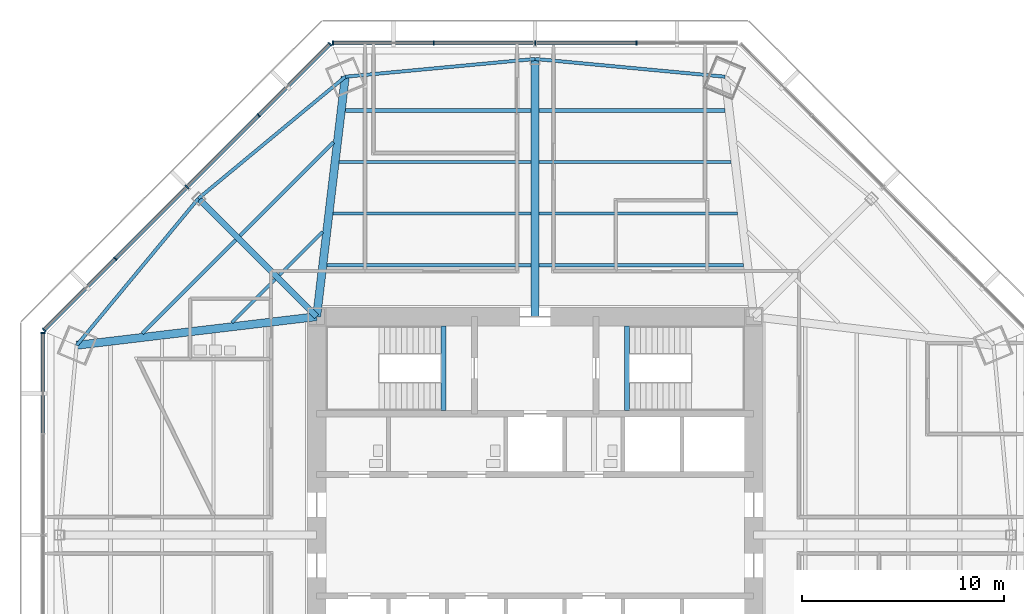
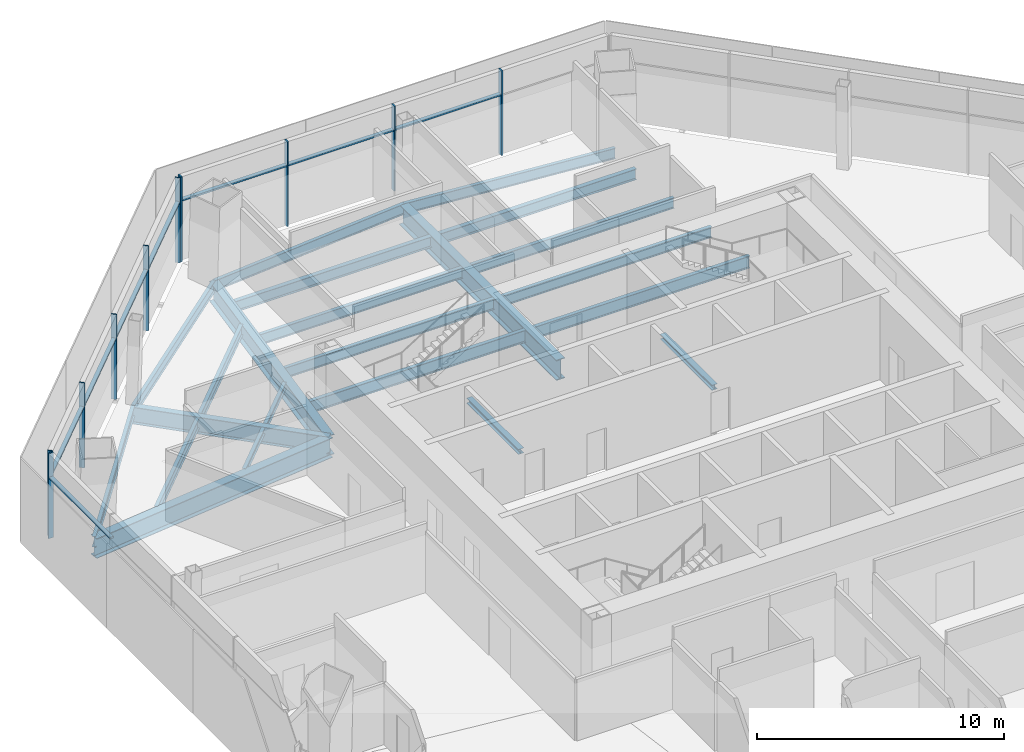
# One storey, part 5 of 14: 22 beams, 18 members, 3 elements without a shape of their own.
"""IFC4 building model written with IfcOpenShell, lengths in metres."""

import ifcopenshell
import ifcopenshell.guid

model = None  # the IFC model being written
_history = None  # IfcOwnerHistory: only IFC2X3 demands one
_inside = {}  # id of a spatial element -> (the spatial element, [elements in it])
_under = {}  # id of a project, library or spatial element -> (it, [spatial elements below it])
_declared = {}  # id of a project -> (the project, [libraries it declares])
_typed = {}  # id of a type object -> (the type object, [elements of that type])
_made_of = {}  # id of a material, layer set ... -> (it, [elements and type objects made of it])


def new_model(schema):
    """Start an empty IFC model of exactly this schema.

    Asked for "IFC4X3", IfcOpenShell would pick the latest addendum, in which some entities
    have other attributes; the version numbers below select the first issue.
    IFC2X3 requires an IfcOwnerHistory on every rooted entity: one is made here for all.
    """
    global model, _history
    if schema == "IFC4X3":
        model = ifcopenshell.file(schema_version=(4, 3, 0, 0))
    else:
        model = ifcopenshell.file(schema=schema)
    _inside.clear()
    _under.clear()
    _declared.clear()
    _typed.clear()
    _made_of.clear()
    _history = None
    if model.schema == "IFC2X3":
        org = make("IfcOrganization", Name="unknown")
        user = make(
            "IfcPersonAndOrganization",
            ThePerson=make("IfcPerson", FamilyName="unknown"),
            TheOrganization=org,
        )
        app = make(
            "IfcApplication",
            ApplicationDeveloper=org,
            Version="unknown",
            ApplicationFullName="unknown",
            ApplicationIdentifier="unknown",
        )
        _history = make(
            "IfcOwnerHistory",
            OwningUser=user,
            OwningApplication=app,
            ChangeAction="ADDED",
            CreationDate=0,
        )
    return model


def make(cls, **values):
    """One entity of the class cls with the attributes given. An attribute that is None is left unset."""
    return model.create_entity(
        cls, **{name: value for name, value in values.items() if value is not None}
    )


def rooted(cls, **values):
    """An entity with a GlobalId (a new one), such as an element, a storey or a relation."""
    return make(cls, GlobalId=ifcopenshell.guid.new(), OwnerHistory=_history, **values)


def si_unit(unit_type, name, prefix=None):
    """IfcSIUnit, for example si_unit("LENGTHUNIT", "METRE", prefix="MILLI")."""
    return make("IfcSIUnit", UnitType=unit_type, Prefix=prefix, Name=name)


def assignment(units):
    """IfcUnitAssignment: the units of a project."""
    return None if units is None else make("IfcUnitAssignment", Units=units)


def point(xyz):
    """IfcCartesianPoint."""
    return None if xyz is None else make("IfcCartesianPoint", Coordinates=xyz)


def direction(xyz):
    """IfcDirection."""
    return None if xyz is None else make("IfcDirection", DirectionRatios=xyz)


def frame(location, z_axis=None, x_axis=None):
    """IfcAxis2Placement3D, a coordinate frame: its origin and axes. An axis left out is left unset."""
    return make(
        "IfcAxis2Placement3D",
        Location=point(location),
        Axis=direction(z_axis),
        RefDirection=direction(x_axis),
    )


def frame_2d(location, x_axis=None):
    """IfcAxis2Placement2D, a coordinate frame in the plane: its origin and x axis."""
    return make(
        "IfcAxis2Placement2D", Location=point(location), RefDirection=direction(x_axis)
    )


def origin():
    """The frame at (0, 0, 0) with its axes left unset."""
    return frame((0.0, 0.0, 0.0))


def origin_2d():
    """The frame at (0, 0) in the plane with its x axis left unset."""
    return frame_2d((0.0, 0.0))


def place(relative_to, where):
    """IfcLocalPlacement: puts the frame where relative to a parent placement (None: the world)."""
    return make(
        "IfcLocalPlacement", PlacementRelTo=relative_to, RelativePlacement=where
    )


def context(
    kind, dimensions, precision=None, world=None, true_north=None, identifier=None
):
    """IfcGeometricRepresentationContext, for example the 3D "Model" context."""
    return make(
        "IfcGeometricRepresentationContext",
        ContextIdentifier=identifier,
        ContextType=kind,
        CoordinateSpaceDimension=dimensions,
        Precision=precision,
        WorldCoordinateSystem=world,
        TrueNorth=true_north,
    )


def subcontext(parent, identifier, kind, view, scale=None):
    """IfcGeometricRepresentationSubContext, for example "Body" below "Model"."""
    return make(
        "IfcGeometricRepresentationSubContext",
        ContextIdentifier=identifier,
        ContextType=kind,
        ParentContext=parent,
        TargetScale=scale,
        TargetView=view,
    )


def project(units=None, contexts=None):
    """IfcProject with its units and contexts."""
    return rooted(
        "IfcProject",
        Name="project",
        RepresentationContexts=contexts,
        UnitsInContext=assignment(units),
    )


def spatial(cls, under=None, at=None, **own):
    """A site, building, storey or space (cls), placed at a placement, below another one or the project."""
    s = rooted(cls, ObjectPlacement=at, **own)
    if under is not None:
        _under.setdefault(under.id(), (under, []))[1].append(s)
    return s


def profile(cls, at=None, kind="AREA", **sizes):
    """A parametric profile (cls). Its sizes go by their IFC names, for example OverallWidth=200.0."""
    return make(cls, ProfileType=kind, Position=at, **sizes)


def rectangle(**sizes):
    """IfcRectangleProfileDef."""
    return profile("IfcRectangleProfileDef", **sizes)


def i_section(**sizes):
    """IfcIShapeProfileDef."""
    return profile("IfcIShapeProfileDef", **sizes)


def extrude(swept, where, along, depth):
    """IfcExtrudedAreaSolid: the profile swept, set in the frame where, extruded along a direction by depth."""
    return make(
        "IfcExtrudedAreaSolid",
        SweptArea=swept,
        Position=where,
        ExtrudedDirection=direction(along),
        Depth=depth,
    )


def shape(context_of_items, identifier, shape_type, items):
    """IfcShapeRepresentation: the items that make up one representation, for example the "Body"."""
    return make(
        "IfcShapeRepresentation",
        ContextOfItems=context_of_items,
        RepresentationIdentifier=identifier,
        RepresentationType=shape_type,
        Items=items,
    )


def source(mapping_origin, context_of_items, identifier, shape_type, items):
    """IfcRepresentationMap: a shape defined once, which mapped items show again and again."""
    return make(
        "IfcRepresentationMap",
        MappingOrigin=mapping_origin,
        MappedRepresentation=shape(context_of_items, identifier, shape_type, items),
    )


def transform(
    local_origin,
    x_axis=None,
    y_axis=None,
    z_axis=None,
    scale=None,
    scale2=None,
    scale3=None,
    uniform=True,
):
    """IfcCartesianTransformationOperator3D, or its non-uniform kind. x_axis, y_axis, z_axis: its Axis1, 2, 3."""
    if uniform:
        return make(
            "IfcCartesianTransformationOperator3D",
            Axis1=direction(x_axis),
            Axis2=direction(y_axis),
            LocalOrigin=point(local_origin),
            Scale=scale,
            Axis3=direction(z_axis),
        )
    return make(
        "IfcCartesianTransformationOperator3DnonUniform",
        Axis1=direction(x_axis),
        Axis2=direction(y_axis),
        LocalOrigin=point(local_origin),
        Scale=scale,
        Axis3=direction(z_axis),
        Scale2=scale2,
        Scale3=scale3,
    )


def mapped(mapping_source, mapping_target):
    """IfcMappedItem: shows the shape of a source again, moved by a transform."""
    return make(
        "IfcMappedItem", MappingSource=mapping_source, MappingTarget=mapping_target
    )


def material(Name=None, Category=None):
    """IfcMaterial."""
    return make("IfcMaterial", Name=Name, Category=Category)


def material_profile(
    of_material, cross_section, Name=None, Category=None, Priority=None
):
    """IfcMaterialProfile: a cross section and its material."""
    return make(
        "IfcMaterialProfile",
        Name=Name,
        Material=of_material,
        Profile=cross_section,
        Priority=Priority,
        Category=Category,
    )


def profile_set(profiles, Name=None, composite=None):
    """IfcMaterialProfileSet."""
    return make(
        "IfcMaterialProfileSet",
        Name=Name,
        MaterialProfiles=profiles,
        CompositeProfile=composite,
    )


def made_of(thing, what):
    """Note that an element or type object is made of a material, layer set ...; save() writes the relation."""
    if what is not None:
        _made_of.setdefault(what.id(), (what, []))[1].append(thing)
    return thing


def type_object(cls, material=None, **own):
    """A type object (cls), such as IfcWallType, which elements share."""
    return made_of(rooted(cls, **own), material)


def type_shapes(of_type, sources):
    """Give a type object the sources (RepresentationMaps) that its elements show as mapped items."""
    of_type.RepresentationMaps = sources


def element(
    cls,
    number,
    at=None,
    inside=None,
    cuts=None,
    type_object=None,
    material=None,
    context=None,
    identifier="Body",
    shape_type=None,
    held_by="IfcProductDefinitionShape",
    body=None,
    shapes=None,
    **own,
):
    """One element of the class cls, such as IfcWall. Its Tag is "e" and its number.

    at: its placement. inside: the storey or other place that contains it. cuts: it is an
    opening in that element (IfcRelVoidsElement). A single representation is given by context,
    identifier, shape_type and body (its items); several are given by shapes. held_by: the class
    of the entity that holds the representations. save() writes the other relations.
    """
    e = rooted(cls, Tag="e%d" % number, ObjectPlacement=at, **own)
    if body is not None:
        shapes = [shape(context, identifier, shape_type, body)]
    if shapes is not None:
        e.Representation = make(held_by, Representations=shapes)
    if inside is not None:
        _inside.setdefault(inside.id(), (inside, []))[1].append(e)
    if cuts is not None:
        rooted(
            "IfcRelVoidsElement", RelatingBuildingElement=cuts, RelatedOpeningElement=e
        )
    if type_object is not None:
        _typed.setdefault(type_object.id(), (type_object, []))[1].append(e)
    return made_of(e, material)


def aggregate(whole, parts):
    """IfcRelAggregates: a whole, such as a stair, and the parts it consists of."""
    return rooted("IfcRelAggregates", RelatingObject=whole, RelatedObjects=parts)


def save(model, path):
    """Write the relations noted so far, then the file.

    IfcRelAggregates (storeys below a building ...), IfcRelContainedInSpatialStructure (elements
    in a storey), IfcRelDefinesByType, IfcRelAssociatesMaterial and IfcRelDeclares: one each for
    every whole, place, type object, material and project.
    """
    for whole, parts in _under.values():
        aggregate(whole, parts)
    for where, things in _inside.values():
        rooted(
            "IfcRelContainedInSpatialStructure",
            RelatedElements=things,
            RelatingStructure=where,
        )
    for kind, things in _typed.values():
        rooted("IfcRelDefinesByType", RelatedObjects=things, RelatingType=kind)
    for what, things in _made_of.values():
        rooted("IfcRelAssociatesMaterial", RelatedObjects=things, RelatingMaterial=what)
    for by, libraries in _declared.values():
        rooted("IfcRelDeclares", RelatingContext=by, RelatedDefinitions=libraries)
    model.write(path)


model = new_model("IFC4")

# Units and contexts
model_context = context("Model", 3, precision=1e-05, world=origin(), true_north=direction((0.0, 1.0)))
body_context = subcontext(model_context, "Body", "Model", "MODEL_VIEW")
ifc_project = project(units=[si_unit("LENGTHUNIT", "METRE"), si_unit("AREAUNIT", "SQUARE_METRE"), si_unit("VOLUMEUNIT", "CUBIC_METRE"), si_unit("PLANEANGLEUNIT", "RADIAN"), si_unit("MASSUNIT", "GRAM", prefix="KILO")], contexts=[model_context])

# Site, building, storey
site_placement = place(None, origin())
site = spatial("IfcSite", under=ifc_project, at=site_placement, CompositionType="ELEMENT")
building_placement = place(site_placement, origin())
building = spatial("IfcBuilding", under=site, at=building_placement, Name="Mashrafa Tower", CompositionType="ELEMENT")
storey_placement = place(building_placement, frame((0.0, 0.0, 130.199951171875)))
storey = spatial("IfcBuildingStorey", under=building, at=storey_placement, Name="L29", CompositionType="ELEMENT", Elevation=130.199951171875)

# Beams
ifc_material_1 = material(Name="Steel ASTM A992", Category="steel")
ifc_material_profile_1 = material_profile(ifc_material_1, i_section(OverallWidth=0.164794921875, OverallDepth=0.309814453125, WebThickness=0.005859375, FlangeThickness=0.009765625, FilletRadius=0.007568359375, at=origin_2d()), Name="W12X26")
ifc_profile_set_1 = profile_set([ifc_material_profile_1], Name="Steel ASTM A992")
beam_type_1 = type_object("IfcBeamType", Name="Beam W12X26", PredefinedType="BEAM", material=ifc_profile_set_1)
for number, where, z_axis, x_axis, name in (
    (1, (-14.9931640625, 10.501953125, -0.31982421875), (0.707106781187, 0.707106781187, 0.0), (-0.707106781187, 0.707106781187, 0.0), "Floor beam L29 008"),
    (2, (-12.644287109375, 12.850830078125, -0.31982421875), (0.707106781187, 0.707106781187, 0.0), (-0.707106781187, 0.707106781187, 0.0), "Floor beam L29 014"),
):
    element("IfcBeam", number, at=place(storey_placement, frame(where, z_axis=z_axis, x_axis=x_axis)), inside=storey, type_object=beam_type_1, Name=name, PredefinedType="BEAM", context=body_context, shape_type="SweptSolid", body=[
        extrude(i_section(OverallWidth=0.164794921875, OverallDepth=0.309814453125, WebThickness=0.005859375, FlangeThickness=0.009765625, FilletRadius=0.007568359375, at=origin_2d()), origin(), (0.0, 0.0, 1.0), 3.02978515625),
    ])
ifc_material_2 = material(Name="Steel ASTM A992", Category="steel")
ifc_material_profile_2 = material_profile(ifc_material_2, i_section(OverallWidth=0.1650390625, OverallDepth=0.52587890625, WebThickness=0.0087890625, FlangeThickness=0.011474609375, FilletRadius=0.0126953125, at=origin_2d()), Name="W21X44")
ifc_profile_set_2 = profile_set([ifc_material_profile_2], Name="Steel ASTM A992")
beam_type_2 = type_object("IfcBeamType", Name="Beam W21X44", PredefinedType="BEAM", material=ifc_profile_set_2)
for number, where, z_axis, x_axis, name in (
    (3, (-19.416015625, 9.97412109375, -0.427734375), (0.707106781187, 0.707106781187, 0.0), (-0.707106781187, 0.707106781187, 0.0), "Floor beam L29 003"),
    (4, (-14.591796875, 14.79833984375, -0.427734375), (0.707106781187, 0.707106781187, 0.0), (-0.707106781187, 0.707106781187, 0.0), "Floor beam L29 010"),
):
    element("IfcBeam", number, at=place(storey_placement, frame(where, z_axis=z_axis, x_axis=x_axis)), inside=storey, type_object=beam_type_2, Name=name, PredefinedType="BEAM", context=body_context, shape_type="SweptSolid", body=[
        extrude(i_section(OverallWidth=0.1650390625, OverallDepth=0.52587890625, WebThickness=0.0087890625, FlangeThickness=0.011474609375, FilletRadius=0.0126953125, at=origin_2d()), origin(), (0.0, 0.0, 1.0), 6.5302734375),
    ])
beam_1_placement = place(storey_placement, frame((-9.989990234375, 15.89453125, -0.427734375), z_axis=(1.0, 0.0, 0.0), x_axis=(0.0, 1.0, 0.0)))
element("IfcBeam", 5, at=beam_1_placement, inside=storey, type_object=beam_type_2, Name="Floor beam L29 017", PredefinedType="BEAM", context=body_context, shape_type="SweptSolid", body=[
    extrude(i_section(OverallWidth=0.1650390625, OverallDepth=0.52587890625, WebThickness=0.0087890625, FlangeThickness=0.011474609375, FilletRadius=0.0126953125, at=origin_2d()), origin(), (0.0, 0.0, 1.0), 9.789306640625),
])
beam_2_placement = place(storey_placement, frame((-9.686279296875, 18.441650390625, -0.427734375), z_axis=(1.0, 0.0, 0.0), x_axis=(0.0, 1.0, 0.0)))
element("IfcBeam", 6, at=beam_2_placement, inside=storey, type_object=beam_type_2, Name="Floor beam L29 018", PredefinedType="BEAM", context=body_context, shape_type="SweptSolid", body=[
    extrude(i_section(OverallWidth=0.1650390625, OverallDepth=0.52587890625, WebThickness=0.0087890625, FlangeThickness=0.011474609375, FilletRadius=0.0126953125, at=origin_2d()), origin(), (0.0, 0.0, 1.0), 9.485595703125),
])
beam_3_placement = place(storey_placement, frame((0.20068359375, 15.89453125, -0.427734375), z_axis=(1.0, 0.0, 0.0), x_axis=(0.0, 1.0, 0.0)))
element("IfcBeam", 7, at=beam_3_placement, inside=storey, type_object=beam_type_2, Name="Floor beam L29 026", PredefinedType="BEAM", context=body_context, shape_type="SweptSolid", body=[
    extrude(i_section(OverallWidth=0.1650390625, OverallDepth=0.52587890625, WebThickness=0.0087890625, FlangeThickness=0.011474609375, FilletRadius=0.0126953125, at=origin_2d()), origin(), (0.0, 0.0, 1.0), 9.789306640625),
])
beam_4_placement = place(storey_placement, frame((0.20068359375, 18.441650390625, -0.427734375), z_axis=(1.0, 0.0, 0.0), x_axis=(0.0, 1.0, 0.0)))
element("IfcBeam", 8, at=beam_4_placement, inside=storey, type_object=beam_type_2, Name="Floor beam L29 027", PredefinedType="BEAM", context=body_context, shape_type="SweptSolid", body=[
    extrude(i_section(OverallWidth=0.1650390625, OverallDepth=0.52587890625, WebThickness=0.0087890625, FlangeThickness=0.011474609375, FilletRadius=0.0126953125, at=origin_2d()), origin(), (0.0, 0.0, 1.0), 9.485595703125),
])
for number, where, z_axis, x_axis, name in (
    (9, (-16.642578125, 16.642578125, -0.427734375), (-0.63815431328, -0.76990848316, 0.0), (0.76990848316, -0.63815431328, 0.0), "Spandrel beam L29 069"),
    (10, (-9.38525390625, 22.657958984375, -0.427734375), (-0.76990848316, -0.63815431328, 0.0), (0.63815431328, -0.76990848316, 0.0), "Spandrel beam L29 071"),
    (11, (0.0, 23.5361328125, -0.427734375), (-0.995650908533, -0.093162590864, 0.0), (0.093162590864, -0.995650908533, 0.0), "Spandrel beam L29 073"),
    (12, (9.38525390625, 22.657958984375, -0.427734375), (-0.995650908533, 0.093162590864, 0.0), (-0.093162590864, -0.995650908533, 0.0), "Spandrel beam L29 075"),
):
    element("IfcBeam", number, at=place(storey_placement, frame(where, z_axis=z_axis, x_axis=x_axis)), inside=storey, type_object=beam_type_2, Name=name, PredefinedType="BEAM", context=body_context, shape_type="SweptSolid", body=[
        extrude(i_section(OverallWidth=0.1650390625, OverallDepth=0.52587890625, WebThickness=0.0087890625, FlangeThickness=0.011474609375, FilletRadius=0.0126953125, at=origin_2d()), origin(), (0.0, 0.0, 1.0), 9.42626953125),
    ])
ifc_material_3 = material(Name="Steel ASTM A992", Category="steel")
ifc_material_profile_3 = material_profile(ifc_material_3, i_section(OverallWidth=0.209228515625, OverallDepth=0.533447265625, WebThickness=0.01025390625, FlangeThickness=0.015625, FilletRadius=0.012939453125, at=origin_2d()), Name="W21X62")
ifc_profile_set_3 = profile_set([ifc_material_profile_3], Name="Steel ASTM A992")
beam_type_3 = type_object("IfcBeamType", Name="Beam W21X62", PredefinedType="BEAM", material=ifc_profile_set_3)
for number, where, z_axis, x_axis, name in (
    (13, (-9.38232421875, 20.989013671875, -0.431640625), (1.0, 0.0, 0.0), (0.0, 1.0, 0.0), "Floor beam L29 020"),
    (14, (0.20068359375, 20.989013671875, -0.431640625), (1.0, 0.0, 0.0), (0.0, 1.0, 0.0), "Floor beam L29 028"),
):
    element("IfcBeam", number, at=place(storey_placement, frame(where, z_axis=z_axis, x_axis=x_axis)), inside=storey, type_object=beam_type_3, Name=name, PredefinedType="BEAM", context=body_context, shape_type="SweptSolid", body=[
        extrude(i_section(OverallWidth=0.209228515625, OverallDepth=0.533447265625, WebThickness=0.01025390625, FlangeThickness=0.015625, FilletRadius=0.012939453125, at=origin_2d()), origin(), (0.0, 0.0, 1.0), 9.181640625),
    ])
ifc_material_4 = material(Name="Steel ASTM A992", Category="steel")
ifc_material_profile_4 = material_profile(ifc_material_4, i_section(OverallWidth=0.177978515625, OverallDepth=0.599365234375, WebThickness=0.010009765625, FlangeThickness=0.012939453125, FilletRadius=0.012939453125, at=origin_2d()), Name="W24X55")
ifc_profile_set_4 = profile_set([ifc_material_profile_4], Name="Steel ASTM A992")
beam_type_4 = type_object("IfcBeamType", Name="Beam W24X55", PredefinedType="BEAM", material=ifc_profile_set_4)
for number, where, z_axis, x_axis, name in (
    (15, (-10.2939453125, 13.34716796875, -0.464599609375), (1.0, 0.0, 0.0), (0.0, 1.0, 0.0), "Floor beam L29 015"),
    (16, (0.20068359375, 13.34716796875, -0.464599609375), (1.0, 0.0, 0.0), (0.0, 1.0, 0.0), "Floor beam L29 025"),
):
    element("IfcBeam", number, at=place(storey_placement, frame(where, z_axis=z_axis, x_axis=x_axis)), inside=storey, type_object=beam_type_4, Name=name, PredefinedType="BEAM", context=body_context, shape_type="SweptSolid", body=[
        extrude(i_section(OverallWidth=0.177978515625, OverallDepth=0.599365234375, WebThickness=0.010009765625, FlangeThickness=0.012939453125, FilletRadius=0.012939453125, at=origin_2d()), origin(), (0.0, 0.0, 1.0), 10.09326171875),
    ])
ifc_material_5 = material(Name="Steel ASTM A992", Category="steel")
ifc_material_profile_5 = material_profile(ifc_material_5, i_section(OverallWidth=0.2919921875, OverallDepth=0.8408203125, WebThickness=0.0146484375, FlangeThickness=0.021728515625, FilletRadius=0.017333984375, at=origin_2d()), Name="W33X130")
ifc_profile_set_5 = profile_set([ifc_material_profile_5], Name="Steel ASTM A992")
beam_type_5 = type_object("IfcBeamType", Name="Beam W33X130", PredefinedType="BEAM", material=ifc_profile_set_5)
beam_5_placement = place(storey_placement, frame((-10.800048828125, 10.800048828125, -0.585205078125), z_axis=(-0.707106781187, 0.707106781187, 0.0), x_axis=(-0.707106781187, -0.707106781187, 0.0)))
element("IfcBeam", 17, at=beam_5_placement, inside=storey, type_object=beam_type_5, Name="Radial girder L29 054", PredefinedType="BEAM", context=body_context, shape_type="SweptSolid", body=[
    extrude(i_section(OverallWidth=0.2919921875, OverallDepth=0.8408203125, WebThickness=0.0146484375, FlangeThickness=0.021728515625, FilletRadius=0.017333984375, at=origin_2d()), origin(), (0.0, 0.0, 1.0), 8.2626953125),
])
ifc_material_6 = material(Name="Steel ASTM A992", Category="steel")
ifc_material_profile_6 = material_profile(ifc_material_6, i_section(OverallWidth=0.4013671875, OverallDepth=0.98291015625, WebThickness=0.0166015625, FlangeThickness=0.027099609375, FilletRadius=0.0126953125, at=origin_2d()), Name="W40X199")
ifc_profile_set_6 = profile_set([ifc_material_profile_6], Name="Steel ASTM A992")
beam_type_6 = type_object("IfcBeamType", Name="Beam W40X199", PredefinedType="BEAM", material=ifc_profile_set_6)
for number, where, z_axis, x_axis, name in (
    (18, (-10.800048828125, 10.800048828125, -0.656494140625), (-0.992957386055, -0.118472062017, 0.0), (0.118472062017, -0.992957386055, 0.0), "Radial girder L29 053"),
    (19, (-10.800048828125, 10.800048828125, -0.656494140625), (0.118472062017, 0.992957386055, 0.0), (-0.992957386055, 0.118472062017, 0.0), "Radial girder L29 055"),
):
    element("IfcBeam", number, at=place(storey_placement, frame(where, z_axis=z_axis, x_axis=x_axis)), inside=storey, type_object=beam_type_6, Name=name, PredefinedType="BEAM", context=body_context, shape_type="SweptSolid", body=[
        extrude(i_section(OverallWidth=0.4013671875, OverallDepth=0.98291015625, WebThickness=0.0166015625, FlangeThickness=0.027099609375, FilletRadius=0.0126953125, at=origin_2d()), origin(), (0.0, 0.0, 1.0), 11.94189453125),
    ])
ifc_material_7 = material(Name="Steel ASTM A992", Category="steel")
ifc_material_profile_7 = material_profile(ifc_material_7, i_section(OverallWidth=0.4013671875, OverallDepth=1.010986328125, WebThickness=0.023681640625, FlangeThickness=0.0419921875, FilletRadius=0.02001953125, at=origin_2d()), Name="W40X297")
ifc_profile_set_7 = profile_set([ifc_material_profile_7], Name="Steel ASTM A992")
beam_type_7 = type_object("IfcBeamType", Name="Beam W40X297", PredefinedType="BEAM", material=ifc_profile_set_7)
beam_6_placement = place(storey_placement, frame((0.0, 10.800048828125, -0.67041015625), z_axis=(0.0, 1.0, 0.0), x_axis=(-1.0, 0.0, 0.0)))
element("IfcBeam", 20, at=beam_6_placement, inside=storey, type_object=beam_type_7, Name="Radial girder L29 057", PredefinedType="BEAM", context=body_context, shape_type="SweptSolid", body=[
    extrude(i_section(OverallWidth=0.4013671875, OverallDepth=1.010986328125, WebThickness=0.023681640625, FlangeThickness=0.0419921875, FilletRadius=0.02001953125, at=origin_2d()), origin(), (0.0, 0.0, 1.0), 12.736083984375),
])
ifc_material_8 = material(Name="Steel ASTM A992", Category="steel")
ifc_material_profile_8 = material_profile(ifc_material_8, i_section(OverallWidth=0.25390625, OverallDepth=0.25390625, WebThickness=0.008544921875, FlangeThickness=0.01416015625, FilletRadius=0.010009765625, at=origin_2d()), Name="W10X49")
ifc_profile_set_8 = profile_set([ifc_material_profile_8], Name="Steel ASTM A992")
beam_type_8 = type_object("IfcBeamType", Name="Hoistway beam W10X49", PredefinedType="BEAM", material=ifc_profile_set_8)
for number, where, z_axis, x_axis, name in (
    (21, (-4.530029296875, 6.14990234375, -0.326904296875), (0.0, 1.0, 0.0), (-1.0, 0.0, 0.0), "Stair S1 landing beam L29"),
    (22, (4.530029296875, 6.14990234375, -0.326904296875), (0.0, 1.0, 0.0), (-1.0, 0.0, 0.0), "Stair S2 landing beam L29"),
):
    element("IfcBeam", number, at=place(storey_placement, frame(where, z_axis=z_axis, x_axis=x_axis)), inside=storey, type_object=beam_type_8, Name=name, PredefinedType="BEAM", context=body_context, shape_type="SweptSolid", body=[
        extrude(i_section(OverallWidth=0.25390625, OverallDepth=0.25390625, WebThickness=0.008544921875, FlangeThickness=0.01416015625, FilletRadius=0.010009765625, at=origin_2d()), origin(), (0.0, 0.0, 1.0), 4.2001953125),
    ])

# Curtain wall, members
ifc_material_9 = material(Name="Unitised aluminium curtain wall", Category="aluminium")
curtain_wall_type = type_object("IfcCurtainWallType", Name="Office curtain wall, zone 2 CW-B 225 deep", PredefinedType="NOTDEFINED", material=ifc_material_9)
curtain_wall_1_placement = place(storey_placement, origin())
curtain_wall_1 = element("IfcCurtainWall", 23, at=curtain_wall_1_placement, inside=storey, type_object=curtain_wall_type, Name="Office curtain wall, zone 2 L29 north", PredefinedType="NOTDEFINED")
ifc_material_10 = material(Name="Extruded aluminium mullion", Category="aluminium")
ifc_material_profile_9 = material_profile(ifc_material_10, rectangle(XDim=0.22509765625, YDim=0.06494140625, at=origin_2d()), Name="Mullion 65x225")
ifc_profile_set_9 = profile_set([ifc_material_profile_9], Name="Extruded aluminium mullion")
member_type_1 = type_object("IfcMemberType", Name="Mullion CW-B 65 x 225", PredefinedType="MULLION", material=ifc_profile_set_9)
shared_shape_1 = source(origin(), body_context, "Body", "SweptSolid", [
    extrude(rectangle(XDim=0.22509765625, YDim=0.06494140625, at=origin_2d()), origin(), (0.0, 0.0, 1.0), 4.199951171875),
])
type_shapes(member_type_1, [shared_shape_1])
member_1_placement = place(storey_placement, frame((5.010986328125, 24.33154296875, 0.0), z_axis=(0.0, 0.0, 1.0), x_axis=(0.0, -1.0, 0.0)))
member_1 = element("IfcMember", 24, at=member_1_placement, type_object=member_type_1, Name="CW-B mullion 2", PredefinedType="MULLION", context=body_context, shape_type="MappedRepresentation", body=[
    mapped(shared_shape_1, transform((0.0, 0.0, 0.0))),
])
member_2_placement = place(storey_placement, frame((0.0, 24.33154296875, 0.0), z_axis=(0.0, 0.0, 1.0), x_axis=(0.0, -1.0, 0.0)))
member_2 = element("IfcMember", 25, at=member_2_placement, type_object=member_type_1, Name="CW-B mullion 3", PredefinedType="MULLION", context=body_context, shape_type="MappedRepresentation", body=[
    mapped(shared_shape_1, transform((0.0, 0.0, 0.0))),
])
member_3_placement = place(storey_placement, frame((-5.010986328125, 24.33154296875, 0.0), z_axis=(0.0, 0.0, 1.0), x_axis=(0.0, -1.0, 0.0)))
member_3 = element("IfcMember", 26, at=member_3_placement, type_object=member_type_1, Name="CW-B mullion 4", PredefinedType="MULLION", context=body_context, shape_type="MappedRepresentation", body=[
    mapped(shared_shape_1, transform((0.0, 0.0, 0.0))),
])
member_4_placement = place(storey_placement, frame((-9.9892578125, 24.33154296875, 0.0), z_axis=(0.0, 0.0, 1.0), x_axis=(0.0, -1.0, 0.0)))
member_4 = element("IfcMember", 27, at=member_4_placement, type_object=member_type_1, Name="CW-B mullion 5", PredefinedType="MULLION", context=body_context, shape_type="MappedRepresentation", body=[
    mapped(shared_shape_1, transform((0.0, 0.0, 0.0))),
])

curtain_wall_2_placement = place(storey_placement, origin())
curtain_wall_2 = element("IfcCurtainWall", 28, at=curtain_wall_2_placement, inside=storey, type_object=curtain_wall_type, Name="Office curtain wall, zone 2 L29 north-west", PredefinedType="NOTDEFINED")
member_5_placement = place(storey_placement, frame((-10.141357421875, 24.2685546875, 0.0), z_axis=(0.0, 0.0, 1.0), x_axis=(0.707106781187, -0.707106781187, 0.0)))
member_5 = element("IfcMember", 29, at=member_5_placement, type_object=member_type_1, Name="CW-B mullion 1", PredefinedType="MULLION", context=body_context, shape_type="MappedRepresentation", body=[
    mapped(shared_shape_1, transform((0.0, 0.0, 0.0))),
])
member_6_placement = place(storey_placement, frame((-13.66162109375, 20.748291015625, 0.0), z_axis=(0.0, 0.0, 1.0), x_axis=(0.707106781187, -0.707106781187, 0.0)))
member_6 = element("IfcMember", 30, at=member_6_placement, type_object=member_type_1, Name="CW-B mullion 2", PredefinedType="MULLION", context=body_context, shape_type="MappedRepresentation", body=[
    mapped(shared_shape_1, transform((0.0, 0.0, 0.0))),
])
member_7_placement = place(storey_placement, frame((-17.205078125, 17.205078125, 0.0), z_axis=(0.0, 0.0, 1.0), x_axis=(0.707106781187, -0.707106781187, 0.0)))
member_7 = element("IfcMember", 31, at=member_7_placement, type_object=member_type_1, Name="CW-B mullion 3", PredefinedType="MULLION", context=body_context, shape_type="MappedRepresentation", body=[
    mapped(shared_shape_1, transform((0.0, 0.0, 0.0))),
])
member_8_placement = place(storey_placement, frame((-20.748291015625, 13.66162109375, 0.0), z_axis=(0.0, 0.0, 1.0), x_axis=(0.707106781187, -0.707106781187, 0.0)))
member_8 = element("IfcMember", 32, at=member_8_placement, type_object=member_type_1, Name="CW-B mullion 4", PredefinedType="MULLION", context=body_context, shape_type="MappedRepresentation", body=[
    mapped(shared_shape_1, transform((0.0, 0.0, 0.0))),
])
member_9_placement = place(storey_placement, frame((-24.2685546875, 10.141357421875, 0.0), z_axis=(0.0, 0.0, 1.0), x_axis=(0.707106781187, -0.707106781187, 0.0)))
member_9 = element("IfcMember", 33, at=member_9_placement, type_object=member_type_1, Name="CW-B mullion 5", PredefinedType="MULLION", context=body_context, shape_type="MappedRepresentation", body=[
    mapped(shared_shape_1, transform((0.0, 0.0, 0.0))),
])

# Curtain wall, member
curtain_wall_3_placement = place(storey_placement, origin())
curtain_wall_3 = element("IfcCurtainWall", 34, at=curtain_wall_3_placement, inside=storey, type_object=curtain_wall_type, Name="Office curtain wall, zone 2 L29 west", PredefinedType="NOTDEFINED")
member_10_placement = place(storey_placement, frame((-24.33154296875, 9.9892578125, 0.0), z_axis=(0.0, 0.0, 1.0), x_axis=(1.0, 0.0, 0.0)))
member_10 = element("IfcMember", 35, at=member_10_placement, type_object=member_type_1, Name="CW-B mullion 1", PredefinedType="MULLION", context=body_context, shape_type="MappedRepresentation", body=[
    mapped(shared_shape_1, transform((0.0, 0.0, 0.0))),
])

# Member
ifc_material_11 = material(Name="Extruded aluminium transom", Category="aluminium")
ifc_material_profile_10 = material_profile(ifc_material_11, rectangle(XDim=0.179931640625, YDim=0.080078125, at=origin_2d()), Name="Transom 80x180")
ifc_profile_set_10 = profile_set([ifc_material_profile_10], Name="Extruded aluminium transom")
member_type_2 = type_object("IfcMemberType", Name="Transom CW-B 80 x 180", PredefinedType="MULLION", material=ifc_profile_set_10)
shared_shape_2 = source(origin(), body_context, "Body", "SweptSolid", [
    extrude(rectangle(XDim=0.179931640625, YDim=0.080078125, at=origin_2d()), origin(), (0.0, 0.0, 1.0), 4.913330078125),
])
member_11_placement = place(storey_placement, frame((-5.04345703125, 24.33154296875, 3.0), z_axis=(-1.0, 0.0, 0.0), x_axis=(0.0, -1.0, 0.0)))
member_11 = element("IfcMember", 36, at=member_11_placement, type_object=member_type_2, Name="CW-B transom 4", PredefinedType="MULLION", context=body_context, shape_type="MappedRepresentation", body=[
    mapped(shared_shape_2, transform((0.0, 0.0, 0.0))),
])

member_12_placement = place(storey_placement, frame((-10.16455078125, 24.24560546875, 3.0), z_axis=(-0.707081935988, -0.707131625512, 0.0), x_axis=(0.707131625512, -0.707081935988, 0.0)))
member_12 = element("IfcMember", 37, at=member_12_placement, type_object=member_type_2, Name="CW-B transom 1", PredefinedType="MULLION", context=body_context, shape_type="MappedRepresentation", body=[
    mapped(shared_shape_2, transform((0.0, 0.0, 0.0))),
])

member_13_placement = place(storey_placement, frame((-20.771240234375, 13.638671875, 3.0), z_axis=(-0.707131625512, -0.707081935988, 0.0), x_axis=(0.707081935988, -0.707131625512, 0.0)))
member_13 = element("IfcMember", 38, at=member_13_placement, type_object=member_type_2, Name="CW-B transom 4", PredefinedType="MULLION", context=body_context, shape_type="MappedRepresentation", body=[
    mapped(shared_shape_2, transform((0.0, 0.0, 0.0))),
])

member_14_placement = place(storey_placement, frame((-24.33154296875, 9.956787109375, 3.0), z_axis=(0.0, -1.0, 0.0), x_axis=(1.0, 0.0, 0.0)))
member_14 = element("IfcMember", 39, at=member_14_placement, type_object=member_type_2, Name="CW-B transom 1", PredefinedType="MULLION", context=body_context, shape_type="MappedRepresentation", body=[
    mapped(shared_shape_2, transform((0.0, 0.0, 0.0))),
])

aggregate(curtain_wall_3, [member_10, member_14])

shared_shape_3 = source(origin(), body_context, "Body", "SweptSolid", [
    extrude(rectangle(XDim=0.179931640625, YDim=0.080078125, at=origin_2d()), origin(), (0.0, 0.0, 1.0), 4.946044921875),
])
type_shapes(member_type_2, [shared_shape_2, shared_shape_3])
member_15_placement = place(storey_placement, frame((4.978515625, 24.33154296875, 3.0), z_axis=(-1.0, 0.0, 0.0), x_axis=(0.0, -1.0, 0.0)))
member_15 = element("IfcMember", 40, at=member_15_placement, type_object=member_type_2, Name="CW-B transom 2", PredefinedType="MULLION", context=body_context, shape_type="MappedRepresentation", body=[
    mapped(shared_shape_3, transform((0.0, 0.0, 0.0))),
])

member_16_placement = place(storey_placement, frame((-0.032470703125, 24.33154296875, 3.0), z_axis=(-1.0, 0.0, 0.0), x_axis=(0.0, -1.0, 0.0)))
member_16 = element("IfcMember", 41, at=member_16_placement, type_object=member_type_2, Name="CW-B transom 3", PredefinedType="MULLION", context=body_context, shape_type="MappedRepresentation", body=[
    mapped(shared_shape_3, transform((0.0, 0.0, 0.0))),
])

aggregate(curtain_wall_1, [member_1, member_2, member_3, member_4, member_15, member_16, member_11])

member_17_placement = place(storey_placement, frame((-13.684814453125, 20.725341796875, 3.0), z_axis=(-0.707106781187, -0.707106781187, 0.0), x_axis=(0.707106781187, -0.707106781187, 0.0)))
member_17 = element("IfcMember", 42, at=member_17_placement, type_object=member_type_2, Name="CW-B transom 2", PredefinedType="MULLION", context=body_context, shape_type="MappedRepresentation", body=[
    mapped(shared_shape_3, transform((0.0, 0.0, 0.0))),
])

member_18_placement = place(storey_placement, frame((-17.22802734375, 17.18212890625, 3.0), z_axis=(-0.707106781187, -0.707106781187, 0.0), x_axis=(0.707106781187, -0.707106781187, 0.0)))
member_18 = element("IfcMember", 43, at=member_18_placement, type_object=member_type_2, Name="CW-B transom 3", PredefinedType="MULLION", context=body_context, shape_type="MappedRepresentation", body=[
    mapped(shared_shape_3, transform((0.0, 0.0, 0.0))),
])

aggregate(curtain_wall_2, [member_5, member_6, member_7, member_8, member_9, member_12, member_17, member_18, member_13])

save(model, "model.ifc")
